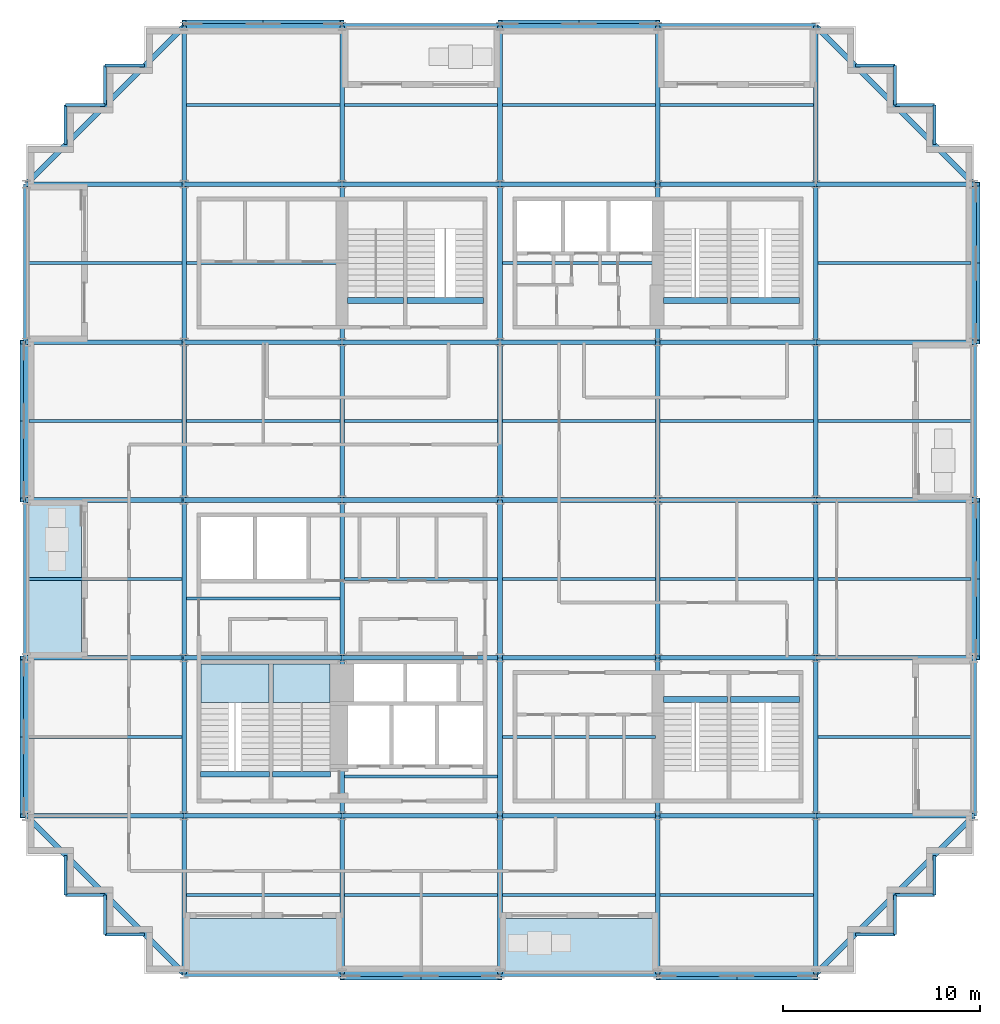
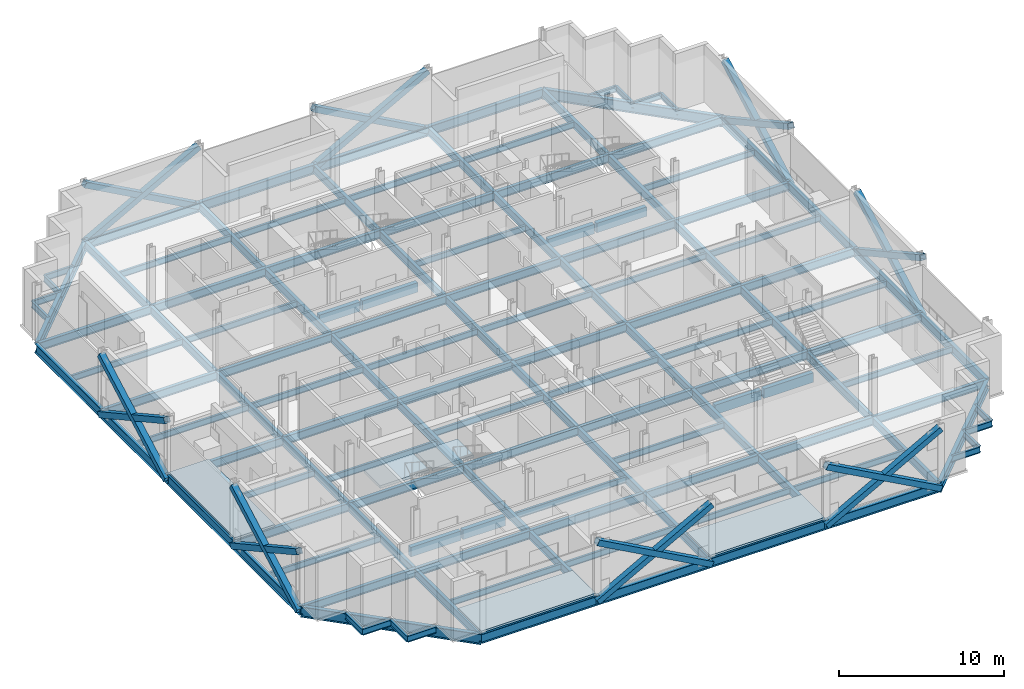
# One storey, part 4 of 15: 132 beams, 16 members, 5 slabs, 2 elements without a shape of their own.
"""IFC4 building model written with IfcOpenShell, lengths in metres."""

import ifcopenshell
import ifcopenshell.guid

model = None  # the IFC model being written
_history = None  # IfcOwnerHistory: only IFC2X3 demands one
_inside = {}  # id of a spatial element -> (the spatial element, [elements in it])
_under = {}  # id of a project, library or spatial element -> (it, [spatial elements below it])
_declared = {}  # id of a project -> (the project, [libraries it declares])
_typed = {}  # id of a type object -> (the type object, [elements of that type])
_made_of = {}  # id of a material, layer set ... -> (it, [elements and type objects made of it])


def new_model(schema):
    """Start an empty IFC model of exactly this schema.

    Asked for "IFC4X3", IfcOpenShell would pick the latest addendum, in which some entities
    have other attributes; the version numbers below select the first issue.
    IFC2X3 requires an IfcOwnerHistory on every rooted entity: one is made here for all.
    """
    global model, _history
    if schema == "IFC4X3":
        model = ifcopenshell.file(schema_version=(4, 3, 0, 0))
    else:
        model = ifcopenshell.file(schema=schema)
    _inside.clear()
    _under.clear()
    _declared.clear()
    _typed.clear()
    _made_of.clear()
    _history = None
    if model.schema == "IFC2X3":
        org = make("IfcOrganization", Name="unknown")
        user = make(
            "IfcPersonAndOrganization",
            ThePerson=make("IfcPerson", FamilyName="unknown"),
            TheOrganization=org,
        )
        app = make(
            "IfcApplication",
            ApplicationDeveloper=org,
            Version="unknown",
            ApplicationFullName="unknown",
            ApplicationIdentifier="unknown",
        )
        _history = make(
            "IfcOwnerHistory",
            OwningUser=user,
            OwningApplication=app,
            ChangeAction="ADDED",
            CreationDate=0,
        )
    return model


def make(cls, **values):
    """One entity of the class cls with the attributes given. An attribute that is None is left unset."""
    return model.create_entity(
        cls, **{name: value for name, value in values.items() if value is not None}
    )


def rooted(cls, **values):
    """An entity with a GlobalId (a new one), such as an element, a storey or a relation."""
    return make(cls, GlobalId=ifcopenshell.guid.new(), OwnerHistory=_history, **values)


def si_unit(unit_type, name, prefix=None):
    """IfcSIUnit, for example si_unit("LENGTHUNIT", "METRE", prefix="MILLI")."""
    return make("IfcSIUnit", UnitType=unit_type, Prefix=prefix, Name=name)


def assignment(units):
    """IfcUnitAssignment: the units of a project."""
    return None if units is None else make("IfcUnitAssignment", Units=units)


def point(xyz):
    """IfcCartesianPoint."""
    return None if xyz is None else make("IfcCartesianPoint", Coordinates=xyz)


def direction(xyz):
    """IfcDirection."""
    return None if xyz is None else make("IfcDirection", DirectionRatios=xyz)


def frame(location, z_axis=None, x_axis=None):
    """IfcAxis2Placement3D, a coordinate frame: its origin and axes. An axis left out is left unset."""
    return make(
        "IfcAxis2Placement3D",
        Location=point(location),
        Axis=direction(z_axis),
        RefDirection=direction(x_axis),
    )


def frame_2d(location, x_axis=None):
    """IfcAxis2Placement2D, a coordinate frame in the plane: its origin and x axis."""
    return make(
        "IfcAxis2Placement2D", Location=point(location), RefDirection=direction(x_axis)
    )


def origin():
    """The frame at (0, 0, 0) with its axes left unset."""
    return frame((0.0, 0.0, 0.0))


def origin_2d():
    """The frame at (0, 0) in the plane with its x axis left unset."""
    return frame_2d((0.0, 0.0))


def place(relative_to, where):
    """IfcLocalPlacement: puts the frame where relative to a parent placement (None: the world)."""
    return make(
        "IfcLocalPlacement", PlacementRelTo=relative_to, RelativePlacement=where
    )


def context(
    kind, dimensions, precision=None, world=None, true_north=None, identifier=None
):
    """IfcGeometricRepresentationContext, for example the 3D "Model" context."""
    return make(
        "IfcGeometricRepresentationContext",
        ContextIdentifier=identifier,
        ContextType=kind,
        CoordinateSpaceDimension=dimensions,
        Precision=precision,
        WorldCoordinateSystem=world,
        TrueNorth=true_north,
    )


def subcontext(parent, identifier, kind, view, scale=None):
    """IfcGeometricRepresentationSubContext, for example "Body" below "Model"."""
    return make(
        "IfcGeometricRepresentationSubContext",
        ContextIdentifier=identifier,
        ContextType=kind,
        ParentContext=parent,
        TargetScale=scale,
        TargetView=view,
    )


def project(units=None, contexts=None):
    """IfcProject with its units and contexts."""
    return rooted(
        "IfcProject",
        Name="project",
        RepresentationContexts=contexts,
        UnitsInContext=assignment(units),
    )


def spatial(cls, under=None, at=None, **own):
    """A site, building, storey or space (cls), placed at a placement, below another one or the project."""
    s = rooted(cls, ObjectPlacement=at, **own)
    if under is not None:
        _under.setdefault(under.id(), (under, []))[1].append(s)
    return s


def polyline(points):
    """IfcPolyline through the points."""
    return make("IfcPolyline", Points=[point(p) for p in points])


def profile(cls, at=None, kind="AREA", **sizes):
    """A parametric profile (cls). Its sizes go by their IFC names, for example OverallWidth=200.0."""
    return make(cls, ProfileType=kind, Position=at, **sizes)


def rectangle(**sizes):
    """IfcRectangleProfileDef."""
    return profile("IfcRectangleProfileDef", **sizes)


def hollow_rectangle(**sizes):
    """IfcRectangleHollowProfileDef."""
    return profile("IfcRectangleHollowProfileDef", **sizes)


def i_section(**sizes):
    """IfcIShapeProfileDef."""
    return profile("IfcIShapeProfileDef", **sizes)


def outline(outer, holes=None, kind="AREA"):
    """IfcArbitraryClosedProfileDef: a profile drawn as a closed curve; with holes, ...WithVoids."""
    if holes is None:
        return make("IfcArbitraryClosedProfileDef", ProfileType=kind, OuterCurve=outer)
    return make(
        "IfcArbitraryProfileDefWithVoids",
        ProfileType=kind,
        OuterCurve=outer,
        InnerCurves=holes,
    )


def extrude(swept, where, along, depth):
    """IfcExtrudedAreaSolid: the profile swept, set in the frame where, extruded along a direction by depth."""
    return make(
        "IfcExtrudedAreaSolid",
        SweptArea=swept,
        Position=where,
        ExtrudedDirection=direction(along),
        Depth=depth,
    )


def shape(context_of_items, identifier, shape_type, items):
    """IfcShapeRepresentation: the items that make up one representation, for example the "Body"."""
    return make(
        "IfcShapeRepresentation",
        ContextOfItems=context_of_items,
        RepresentationIdentifier=identifier,
        RepresentationType=shape_type,
        Items=items,
    )


def material(Name=None, Category=None):
    """IfcMaterial."""
    return make("IfcMaterial", Name=Name, Category=Category)


def layer(
    of_material, thickness, ventilated=None, Name=None, Category=None, Priority=None
):
    """IfcMaterialLayer: one layer of a wall or slab, of a material (None: an air gap)."""
    return make(
        "IfcMaterialLayer",
        Material=of_material,
        LayerThickness=thickness,
        IsVentilated=ventilated,
        Name=Name,
        Category=Category,
        Priority=Priority,
    )


def layer_set(layers, Name=None):
    """IfcMaterialLayerSet."""
    return make("IfcMaterialLayerSet", MaterialLayers=layers, LayerSetName=Name)


def material_profile(
    of_material, cross_section, Name=None, Category=None, Priority=None
):
    """IfcMaterialProfile: a cross section and its material."""
    return make(
        "IfcMaterialProfile",
        Name=Name,
        Material=of_material,
        Profile=cross_section,
        Priority=Priority,
        Category=Category,
    )


def profile_set(profiles, Name=None, composite=None):
    """IfcMaterialProfileSet."""
    return make(
        "IfcMaterialProfileSet",
        Name=Name,
        MaterialProfiles=profiles,
        CompositeProfile=composite,
    )


def made_of(thing, what):
    """Note that an element or type object is made of a material, layer set ...; save() writes the relation."""
    if what is not None:
        _made_of.setdefault(what.id(), (what, []))[1].append(thing)
    return thing


def type_object(cls, material=None, **own):
    """A type object (cls), such as IfcWallType, which elements share."""
    return made_of(rooted(cls, **own), material)


def element(
    cls,
    number,
    at=None,
    inside=None,
    cuts=None,
    type_object=None,
    material=None,
    context=None,
    identifier="Body",
    shape_type=None,
    held_by="IfcProductDefinitionShape",
    body=None,
    shapes=None,
    **own,
):
    """One element of the class cls, such as IfcWall. Its Tag is "e" and its number.

    at: its placement. inside: the storey or other place that contains it. cuts: it is an
    opening in that element (IfcRelVoidsElement). A single representation is given by context,
    identifier, shape_type and body (its items); several are given by shapes. held_by: the class
    of the entity that holds the representations. save() writes the other relations.
    """
    e = rooted(cls, Tag="e%d" % number, ObjectPlacement=at, **own)
    if body is not None:
        shapes = [shape(context, identifier, shape_type, body)]
    if shapes is not None:
        e.Representation = make(held_by, Representations=shapes)
    if inside is not None:
        _inside.setdefault(inside.id(), (inside, []))[1].append(e)
    if cuts is not None:
        rooted(
            "IfcRelVoidsElement", RelatingBuildingElement=cuts, RelatedOpeningElement=e
        )
    if type_object is not None:
        _typed.setdefault(type_object.id(), (type_object, []))[1].append(e)
    return made_of(e, material)


def aggregate(whole, parts):
    """IfcRelAggregates: a whole, such as a stair, and the parts it consists of."""
    return rooted("IfcRelAggregates", RelatingObject=whole, RelatedObjects=parts)


def save(model, path):
    """Write the relations noted so far, then the file.

    IfcRelAggregates (storeys below a building ...), IfcRelContainedInSpatialStructure (elements
    in a storey), IfcRelDefinesByType, IfcRelAssociatesMaterial and IfcRelDeclares: one each for
    every whole, place, type object, material and project.
    """
    for whole, parts in _under.values():
        aggregate(whole, parts)
    for where, things in _inside.values():
        rooted(
            "IfcRelContainedInSpatialStructure",
            RelatedElements=things,
            RelatingStructure=where,
        )
    for kind, things in _typed.values():
        rooted("IfcRelDefinesByType", RelatedObjects=things, RelatingType=kind)
    for what, things in _made_of.values():
        rooted("IfcRelAssociatesMaterial", RelatedObjects=things, RelatingMaterial=what)
    for by, libraries in _declared.values():
        rooted("IfcRelDeclares", RelatingContext=by, RelatedDefinitions=libraries)
    model.write(path)


model = new_model("IFC4")

# Units and contexts
model_context = context("Model", 3, precision=1e-05, world=origin(), true_north=direction((0.0, 1.0)))
body_context = subcontext(model_context, "Body", "Model", "MODEL_VIEW")
ifc_project = project(units=[si_unit("LENGTHUNIT", "METRE"), si_unit("AREAUNIT", "SQUARE_METRE"), si_unit("VOLUMEUNIT", "CUBIC_METRE"), si_unit("PLANEANGLEUNIT", "RADIAN"), si_unit("MASSUNIT", "GRAM", prefix="KILO")], contexts=[model_context])

# Site, building, storey
site_placement = place(None, origin())
site = spatial("IfcSite", under=ifc_project, at=site_placement, CompositionType="ELEMENT")
building_placement = place(site_placement, origin())
building = spatial("IfcBuilding", under=site, at=building_placement, Name="Immortelle Media Tower", CompositionType="ELEMENT")
storey_placement = place(building_placement, frame((0.0, 0.0, 83.199951171875)))
storey = spatial("IfcBuildingStorey", under=building, at=storey_placement, Name="L15", CompositionType="ELEMENT", Elevation=83.199951171875)

# Members
ifc_material_1 = material(Name="Steel ASTM A500 Gr C", Category="steel")
ifc_material_profile_1 = material_profile(ifc_material_1, hollow_rectangle(XDim=0.406005859375, YDim=0.406005859375, WallThickness=0.014892578125, at=origin_2d()), Name="HSS16x16x5/8 brace")
ifc_profile_set_1 = profile_set([ifc_material_profile_1], Name="Steel ASTM A500 Gr C")
member_type = type_object("IfcMemberType", Name="HSS16x16x5/8 brace", PredefinedType="BRACE", material=ifc_profile_set_1)
for number, where, z_axis, x_axis, name in (
    (1, (-0.113037109375, 32.0, -0.496337890625), (0.0, -0.876220425204, 0.481910537812), (1.0, 0.0, 0.0), "Brace 1/D-E A"),
    (2, (-0.113037109375, 32.0, 3.903564453125), (0.0, -0.876220425204, -0.481910537812), (1.0, 0.0, 0.0), "Brace 1/D-E B"),
    (3, (-0.113037109375, 16.0, -0.496337890625), (0.0, -0.876220425204, 0.481910537812), (1.0, 0.0, 0.0), "Brace 1/B-C A"),
    (4, (-0.113037109375, 16.0, 3.903564453125), (0.0, -0.876220425204, -0.481910537812), (1.0, 0.0, 0.0), "Brace 1/B-C B"),
    (5, (16.0, -0.113037109375, -0.496337890625), (0.876220425204, 0.0, 0.481910537812), (0.0, 1.0, 0.0), "Brace A/3-4 A"),
    (6, (16.0, -0.113037109375, 3.903564453125), (0.876220425204, 0.0, -0.481910537812), (0.0, 1.0, 0.0), "Brace A/3-4 B"),
    (7, (32.0, -0.113037109375, -0.496337890625), (0.876220425204, 0.0, 0.481910537812), (0.0, 1.0, 0.0), "Brace A/5-6 A"),
    (8, (32.0, -0.113037109375, 3.903564453125), (0.876220425204, 0.0, -0.481910537812), (0.0, 1.0, 0.0), "Brace A/5-6 B"),
    (9, (48.113037109375, 16.0, -0.496337890625), (0.0, 0.876220425204, 0.481910537812), (-1.0, 0.0, 0.0), "Brace 7/C-D A"),
    (10, (48.113037109375, 16.0, 3.903564453125), (0.0, 0.876220425204, -0.481910537812), (-1.0, 0.0, 0.0), "Brace 7/C-D B"),
    (11, (48.113037109375, 32.0, -0.496337890625), (0.0, 0.876220425204, 0.481910537812), (-1.0, 0.0, 0.0), "Brace 7/E-F A"),
    (12, (48.113037109375, 32.0, 3.903564453125), (0.0, 0.876220425204, -0.481910537812), (-1.0, 0.0, 0.0), "Brace 7/E-F B"),
    (13, (32.0, 48.113037109375, -0.496337890625), (-0.876220425204, 0.0, 0.481910537812), (0.0, -1.0, 0.0), "Brace G/4-5 A"),
    (14, (32.0, 48.113037109375, 3.903564453125), (-0.876220425204, 0.0, -0.481910537812), (0.0, -1.0, 0.0), "Brace G/4-5 B"),
    (15, (16.0, 48.113037109375, -0.496337890625), (-0.876220425204, 0.0, 0.481910537812), (0.0, -1.0, 0.0), "Brace G/2-3 A"),
    (16, (16.0, 48.113037109375, 3.903564453125), (-0.876220425204, 0.0, -0.481910537812), (0.0, -1.0, 0.0), "Brace G/2-3 B"),
):
    element("IfcMember", number, at=place(storey_placement, frame(where, z_axis=z_axis, x_axis=x_axis)), inside=storey, type_object=member_type, Name=name, PredefinedType="BRACE", context=body_context, shape_type="SweptSolid", body=[
        extrude(hollow_rectangle(XDim=0.406005859375, YDim=0.406005859375, WallThickness=0.014892578125, at=origin_2d()), origin(), (0.0, 0.0, 1.0), 9.130126953125),
    ])

# Beams
ifc_material_2 = material(Name="Concrete C50/60", Category="concrete")
ifc_material_profile_2 = material_profile(ifc_material_2, rectangle(XDim=0.300048828125, YDim=0.699951171875, at=origin_2d()), Name="RC 300x700")
ifc_profile_set_2 = profile_set([ifc_material_profile_2], Name="Concrete C50/60")
beam_type_1 = type_object("IfcBeamType", Name="Stair trimmer beam 300 x 700", PredefinedType="BEAM", material=ifc_profile_set_2)
beam_1_placement = place(storey_placement, frame((8.830078125, 10.10498046875, -0.5), z_axis=(1.0, 0.0, 0.0), x_axis=(0.0, 1.0, 0.0)))
element("IfcBeam", 17, at=beam_1_placement, inside=storey, type_object=beam_type_1, Name="Stair trimmer beam SW1", PredefinedType="BEAM", context=body_context, shape_type="SweptSolid", body=[
    extrude(rectangle(XDim=0.300048828125, YDim=0.699951171875, at=origin_2d()), origin(), (0.0, 0.0, 1.0), 3.489990234375),
])
beam_2_placement = place(storey_placement, frame((12.47998046875, 10.10498046875, -0.5), z_axis=(1.0, 0.0, 0.0), x_axis=(0.0, 1.0, 0.0)))
element("IfcBeam", 18, at=beam_2_placement, inside=storey, type_object=beam_type_1, Name="Stair trimmer beam SW2", PredefinedType="BEAM", context=body_context, shape_type="SweptSolid", body=[
    extrude(rectangle(XDim=0.300048828125, YDim=0.699951171875, at=origin_2d()), origin(), (0.0, 0.0, 1.0), 2.93994140625),
])
beam_3_placement = place(storey_placement, frame((32.280029296875, 13.89501953125, -0.5), z_axis=(1.0, 0.0, 0.0), x_axis=(0.0, 1.0, 0.0)))
element("IfcBeam", 19, at=beam_3_placement, inside=storey, type_object=beam_type_1, Name="Stair trimmer beam SE1", PredefinedType="BEAM", context=body_context, shape_type="SweptSolid", body=[
    extrude(rectangle(XDim=0.300048828125, YDim=0.699951171875, at=origin_2d()), origin(), (0.0, 0.0, 1.0), 3.239990234375),
])
beam_4_placement = place(storey_placement, frame((35.679931640625, 13.89501953125, -0.5), z_axis=(1.0, 0.0, 0.0), x_axis=(0.0, 1.0, 0.0)))
element("IfcBeam", 20, at=beam_4_placement, inside=storey, type_object=beam_type_1, Name="Stair trimmer beam SE2", PredefinedType="BEAM", context=body_context, shape_type="SweptSolid", body=[
    extrude(rectangle(XDim=0.300048828125, YDim=0.699951171875, at=origin_2d()), origin(), (0.0, 0.0, 1.0), 3.489990234375),
])
beam_5_placement = place(storey_placement, frame((16.280029296875, 34.10498046875, -0.5), z_axis=(1.0, 0.0, 0.0), x_axis=(0.0, 1.0, 0.0)))
element("IfcBeam", 21, at=beam_5_placement, inside=storey, type_object=beam_type_1, Name="Stair trimmer beam NW1", PredefinedType="BEAM", context=body_context, shape_type="SweptSolid", body=[
    extrude(rectangle(XDim=0.300048828125, YDim=0.699951171875, at=origin_2d()), origin(), (0.0, 0.0, 1.0), 2.840087890625),
])
beam_6_placement = place(storey_placement, frame((19.280029296875, 34.10498046875, -0.5), z_axis=(1.0, 0.0, 0.0), x_axis=(0.0, 1.0, 0.0)))
element("IfcBeam", 22, at=beam_6_placement, inside=storey, type_object=beam_type_1, Name="Stair trimmer beam NW2", PredefinedType="BEAM", context=body_context, shape_type="SweptSolid", body=[
    extrude(rectangle(XDim=0.300048828125, YDim=0.699951171875, at=origin_2d()), origin(), (0.0, 0.0, 1.0), 3.889892578125),
])
beam_7_placement = place(storey_placement, frame((32.280029296875, 34.10498046875, -0.5), z_axis=(1.0, 0.0, 0.0), x_axis=(0.0, 1.0, 0.0)))
element("IfcBeam", 23, at=beam_7_placement, inside=storey, type_object=beam_type_1, Name="Stair trimmer beam NE1", PredefinedType="BEAM", context=body_context, shape_type="SweptSolid", body=[
    extrude(rectangle(XDim=0.300048828125, YDim=0.699951171875, at=origin_2d()), origin(), (0.0, 0.0, 1.0), 3.239990234375),
])
beam_8_placement = place(storey_placement, frame((35.679931640625, 34.10498046875, -0.5), z_axis=(1.0, 0.0, 0.0), x_axis=(0.0, 1.0, 0.0)))
element("IfcBeam", 24, at=beam_8_placement, inside=storey, type_object=beam_type_1, Name="Stair trimmer beam NE2", PredefinedType="BEAM", context=body_context, shape_type="SweptSolid", body=[
    extrude(rectangle(XDim=0.300048828125, YDim=0.699951171875, at=origin_2d()), origin(), (0.0, 0.0, 1.0), 3.489990234375),
])
ifc_material_3 = material(Name="Steel ASTM A992 Gr 50", Category="steel")
ifc_material_profile_3 = material_profile(ifc_material_3, i_section(OverallWidth=0.153076171875, OverallDepth=0.455078125, WebThickness=0.008056640625, FlangeThickness=0.012939453125, at=origin_2d()), Name="W18x40")
ifc_profile_set_3 = profile_set([ifc_material_profile_3], Name="Steel ASTM A992 Gr 50")
beam_type_2 = type_object("IfcBeamType", Name="W18x40 secondary beam", PredefinedType="JOIST", material=ifc_profile_set_3)
for number, where, z_axis, x_axis, name in (
    (25, (8.114501953125, 4.0, -0.37744140625), (1.0, 0.0, 0.0), (0.0, 1.0, 0.0), "Beam A-B/2-3"),
    (26, (16.114501953125, 4.0, -0.37744140625), (1.0, 0.0, 0.0), (0.0, 1.0, 0.0), "Beam A-B/3-4"),
    (27, (24.114501953125, 4.0, -0.37744140625), (1.0, 0.0, 0.0), (0.0, 1.0, 0.0), "Beam A-B/4-5"),
    (28, (32.114501953125, 4.0, -0.37744140625), (1.0, 0.0, 0.0), (0.0, 1.0, 0.0), "Beam A-B/5-6"),
):
    element("IfcBeam", number, at=place(storey_placement, frame(where, z_axis=z_axis, x_axis=x_axis)), inside=storey, type_object=beam_type_2, Name=name, PredefinedType="JOIST", context=body_context, shape_type="SweptSolid", body=[
        extrude(i_section(OverallWidth=0.153076171875, OverallDepth=0.455078125, WebThickness=0.008056640625, FlangeThickness=0.012939453125, at=origin_2d()), origin(), (0.0, 0.0, 1.0), 7.77099609375),
    ])
beam_9_placement = place(storey_placement, frame((0.12841796875, 12.0, -0.37744140625), z_axis=(1.0, 0.0, 0.0), x_axis=(0.0, 1.0, 0.0)))
element("IfcBeam", 29, at=beam_9_placement, inside=storey, type_object=beam_type_2, Name="Beam B-C/1-2", PredefinedType="JOIST", context=body_context, shape_type="SweptSolid", body=[
    extrude(i_section(OverallWidth=0.153076171875, OverallDepth=0.455078125, WebThickness=0.008056640625, FlangeThickness=0.012939453125, at=origin_2d()), origin(), (0.0, 0.0, 1.0), 7.757080078125),
])
for number, where, z_axis, x_axis, name in (
    (30, (16.114501953125, 10.0, -0.37744140625), (1.0, 0.0, 0.0), (0.0, 1.0, 0.0), "Beam B-C/3-4"),
    (31, (24.114501953125, 12.0, -0.37744140625), (1.0, 0.0, 0.0), (0.0, 1.0, 0.0), "Beam B-C/4-5"),
):
    element("IfcBeam", number, at=place(storey_placement, frame(where, z_axis=z_axis, x_axis=x_axis)), inside=storey, type_object=beam_type_2, Name=name, PredefinedType="JOIST", context=body_context, shape_type="SweptSolid", body=[
        extrude(i_section(OverallWidth=0.153076171875, OverallDepth=0.455078125, WebThickness=0.008056640625, FlangeThickness=0.012939453125, at=origin_2d()), origin(), (0.0, 0.0, 1.0), 7.77099609375),
    ])
for number, where, z_axis, x_axis, name in (
    (32, (40.114501953125, 12.0, -0.37744140625), (1.0, 0.0, 0.0), (0.0, 1.0, 0.0), "Beam B-C/6-7"),
    (33, (0.12841796875, 20.0, -0.37744140625), (1.0, 0.0, 0.0), (0.0, 1.0, 0.0), "Beam C-D/1-2"),
):
    element("IfcBeam", number, at=place(storey_placement, frame(where, z_axis=z_axis, x_axis=x_axis)), inside=storey, type_object=beam_type_2, Name=name, PredefinedType="JOIST", context=body_context, shape_type="SweptSolid", body=[
        extrude(i_section(OverallWidth=0.153076171875, OverallDepth=0.455078125, WebThickness=0.008056640625, FlangeThickness=0.012939453125, at=origin_2d()), origin(), (0.0, 0.0, 1.0), 7.757080078125),
    ])
for number, where, z_axis, x_axis, name in (
    (34, (8.114501953125, 19.0, -0.37744140625), (1.0, 0.0, 0.0), (0.0, 1.0, 0.0), "Beam C-D/2-3"),
    (35, (16.114501953125, 20.0, -0.37744140625), (1.0, 0.0, 0.0), (0.0, 1.0, 0.0), "Beam C-D/3-4"),
    (36, (24.114501953125, 20.0, -0.37744140625), (1.0, 0.0, 0.0), (0.0, 1.0, 0.0), "Beam C-D/4-5"),
    (37, (32.114501953125, 20.0, -0.37744140625), (1.0, 0.0, 0.0), (0.0, 1.0, 0.0), "Beam C-D/5-6"),
):
    element("IfcBeam", number, at=place(storey_placement, frame(where, z_axis=z_axis, x_axis=x_axis)), inside=storey, type_object=beam_type_2, Name=name, PredefinedType="JOIST", context=body_context, shape_type="SweptSolid", body=[
        extrude(i_section(OverallWidth=0.153076171875, OverallDepth=0.455078125, WebThickness=0.008056640625, FlangeThickness=0.012939453125, at=origin_2d()), origin(), (0.0, 0.0, 1.0), 7.77099609375),
    ])
for number, where, z_axis, x_axis, name in (
    (38, (40.114501953125, 20.0, -0.37744140625), (1.0, 0.0, 0.0), (0.0, 1.0, 0.0), "Beam C-D/6-7"),
    (39, (0.12841796875, 28.0, -0.37744140625), (1.0, 0.0, 0.0), (0.0, 1.0, 0.0), "Beam D-E/1-2"),
):
    element("IfcBeam", number, at=place(storey_placement, frame(where, z_axis=z_axis, x_axis=x_axis)), inside=storey, type_object=beam_type_2, Name=name, PredefinedType="JOIST", context=body_context, shape_type="SweptSolid", body=[
        extrude(i_section(OverallWidth=0.153076171875, OverallDepth=0.455078125, WebThickness=0.008056640625, FlangeThickness=0.012939453125, at=origin_2d()), origin(), (0.0, 0.0, 1.0), 7.757080078125),
    ])
for number, where, z_axis, x_axis, name in (
    (40, (8.114501953125, 28.0, -0.37744140625), (1.0, 0.0, 0.0), (0.0, 1.0, 0.0), "Beam D-E/2-3"),
    (41, (16.114501953125, 28.0, -0.37744140625), (1.0, 0.0, 0.0), (0.0, 1.0, 0.0), "Beam D-E/3-4"),
    (42, (24.114501953125, 28.0, -0.37744140625), (1.0, 0.0, 0.0), (0.0, 1.0, 0.0), "Beam D-E/4-5"),
    (43, (32.114501953125, 28.0, -0.37744140625), (1.0, 0.0, 0.0), (0.0, 1.0, 0.0), "Beam D-E/5-6"),
):
    element("IfcBeam", number, at=place(storey_placement, frame(where, z_axis=z_axis, x_axis=x_axis)), inside=storey, type_object=beam_type_2, Name=name, PredefinedType="JOIST", context=body_context, shape_type="SweptSolid", body=[
        extrude(i_section(OverallWidth=0.153076171875, OverallDepth=0.455078125, WebThickness=0.008056640625, FlangeThickness=0.012939453125, at=origin_2d()), origin(), (0.0, 0.0, 1.0), 7.77099609375),
    ])
for number, where, z_axis, x_axis, name in (
    (44, (40.114501953125, 28.0, -0.37744140625), (1.0, 0.0, 0.0), (0.0, 1.0, 0.0), "Beam D-E/6-7"),
    (45, (0.12841796875, 36.0, -0.37744140625), (1.0, 0.0, 0.0), (0.0, 1.0, 0.0), "Beam E-F/1-2"),
):
    element("IfcBeam", number, at=place(storey_placement, frame(where, z_axis=z_axis, x_axis=x_axis)), inside=storey, type_object=beam_type_2, Name=name, PredefinedType="JOIST", context=body_context, shape_type="SweptSolid", body=[
        extrude(i_section(OverallWidth=0.153076171875, OverallDepth=0.455078125, WebThickness=0.008056640625, FlangeThickness=0.012939453125, at=origin_2d()), origin(), (0.0, 0.0, 1.0), 7.757080078125),
    ])
for number, where, z_axis, x_axis, name in (
    (46, (8.114501953125, 36.0, -0.37744140625), (1.0, 0.0, 0.0), (0.0, 1.0, 0.0), "Beam E-F/2-3"),
    (47, (24.114501953125, 36.0, -0.37744140625), (1.0, 0.0, 0.0), (0.0, 1.0, 0.0), "Beam E-F/4-5"),
):
    element("IfcBeam", number, at=place(storey_placement, frame(where, z_axis=z_axis, x_axis=x_axis)), inside=storey, type_object=beam_type_2, Name=name, PredefinedType="JOIST", context=body_context, shape_type="SweptSolid", body=[
        extrude(i_section(OverallWidth=0.153076171875, OverallDepth=0.455078125, WebThickness=0.008056640625, FlangeThickness=0.012939453125, at=origin_2d()), origin(), (0.0, 0.0, 1.0), 7.77099609375),
    ])
beam_10_placement = place(storey_placement, frame((40.114501953125, 36.0, -0.37744140625), z_axis=(1.0, 0.0, 0.0), x_axis=(0.0, 1.0, 0.0)))
element("IfcBeam", 48, at=beam_10_placement, inside=storey, type_object=beam_type_2, Name="Beam E-F/6-7", PredefinedType="JOIST", context=body_context, shape_type="SweptSolid", body=[
    extrude(i_section(OverallWidth=0.153076171875, OverallDepth=0.455078125, WebThickness=0.008056640625, FlangeThickness=0.012939453125, at=origin_2d()), origin(), (0.0, 0.0, 1.0), 7.757080078125),
])
for number, where, z_axis, x_axis, name in (
    (49, (8.114501953125, 44.0, -0.37744140625), (1.0, 0.0, 0.0), (0.0, 1.0, 0.0), "Beam F-G/2-3"),
    (50, (16.114501953125, 44.0, -0.37744140625), (1.0, 0.0, 0.0), (0.0, 1.0, 0.0), "Beam F-G/3-4"),
    (51, (24.114501953125, 44.0, -0.37744140625), (1.0, 0.0, 0.0), (0.0, 1.0, 0.0), "Beam F-G/4-5"),
    (52, (32.114501953125, 44.0, -0.37744140625), (1.0, 0.0, 0.0), (0.0, 1.0, 0.0), "Beam F-G/5-6"),
):
    element("IfcBeam", number, at=place(storey_placement, frame(where, z_axis=z_axis, x_axis=x_axis)), inside=storey, type_object=beam_type_2, Name=name, PredefinedType="JOIST", context=body_context, shape_type="SweptSolid", body=[
        extrude(i_section(OverallWidth=0.153076171875, OverallDepth=0.455078125, WebThickness=0.008056640625, FlangeThickness=0.012939453125, at=origin_2d()), origin(), (0.0, 0.0, 1.0), 7.77099609375),
    ])
ifc_material_profile_4 = material_profile(ifc_material_3, i_section(OverallWidth=0.153076171875, OverallDepth=0.455078125, WebThickness=0.008056640625, FlangeThickness=0.012939453125, at=origin_2d()), Name="W18x40")
ifc_profile_set_4 = profile_set([ifc_material_profile_4], Name="Steel ASTM A992 Gr 50")
beam_type_3 = type_object("IfcBeamType", Name="W18x40 serration edge beam", PredefinedType="SPANDREL", material=ifc_profile_set_4)
for number, where, z_axis, x_axis, name in (
    (53, (6.0, 2.0, -0.37744140625), (-1.0, 0.0, 0.0), (0.0, -1.0, 0.0), "Corner edge beam 1 at 1/A"),
    (54, (4.0, 2.0, -0.37744140625), (0.0, 1.0, 0.0), (-1.0, 0.0, 0.0), "Corner edge beam 2 at 1/A"),
    (55, (4.0, 4.0, -0.37744140625), (-1.0, 0.0, 0.0), (0.0, -1.0, 0.0), "Corner edge beam 3 at 1/A"),
    (56, (2.0, 4.0, -0.37744140625), (0.0, 1.0, 0.0), (-1.0, 0.0, 0.0), "Corner edge beam 4 at 1/A"),
    (57, (2.0, 42.0, -0.37744140625), (0.0, 1.0, 0.0), (-1.0, 0.0, 0.0), "Corner edge beam 1 at 1/G"),
    (58, (2.0, 44.0, -0.37744140625), (1.0, 0.0, 0.0), (0.0, 1.0, 0.0), "Corner edge beam 2 at 1/G"),
    (59, (4.0, 44.0, -0.37744140625), (0.0, 1.0, 0.0), (-1.0, 0.0, 0.0), "Corner edge beam 3 at 1/G"),
    (60, (4.0, 46.0, -0.37744140625), (1.0, 0.0, 0.0), (0.0, 1.0, 0.0), "Corner edge beam 4 at 1/G"),
    (61, (46.0, 6.0, -0.37744140625), (0.0, -1.0, 0.0), (1.0, 0.0, 0.0), "Corner edge beam 1 at 7/A"),
    (62, (46.0, 4.0, -0.37744140625), (-1.0, 0.0, 0.0), (0.0, -1.0, 0.0), "Corner edge beam 2 at 7/A"),
    (63, (44.0, 4.0, -0.37744140625), (0.0, -1.0, 0.0), (1.0, 0.0, 0.0), "Corner edge beam 3 at 7/A"),
    (64, (44.0, 2.0, -0.37744140625), (-1.0, 0.0, 0.0), (0.0, -1.0, 0.0), "Corner edge beam 4 at 7/A"),
    (65, (42.0, 46.0, -0.37744140625), (1.0, 0.0, 0.0), (0.0, 1.0, 0.0), "Corner edge beam 1 at 7/G"),
    (66, (44.0, 46.0, -0.37744140625), (0.0, -1.0, 0.0), (1.0, 0.0, 0.0), "Corner edge beam 2 at 7/G"),
    (67, (44.0, 44.0, -0.37744140625), (1.0, 0.0, 0.0), (0.0, 1.0, 0.0), "Corner edge beam 3 at 7/G"),
    (68, (46.0, 44.0, -0.37744140625), (0.0, -1.0, 0.0), (1.0, 0.0, 0.0), "Corner edge beam 4 at 7/G"),
):
    element("IfcBeam", number, at=place(storey_placement, frame(where, z_axis=z_axis, x_axis=x_axis)), inside=storey, type_object=beam_type_3, Name=name, PredefinedType="SPANDREL", context=body_context, shape_type="SweptSolid", body=[
        extrude(i_section(OverallWidth=0.153076171875, OverallDepth=0.455078125, WebThickness=0.008056640625, FlangeThickness=0.012939453125, at=origin_2d()), origin(), (0.0, 0.0, 1.0), 2.0),
    ])
ifc_material_profile_5 = material_profile(ifc_material_3, i_section(OverallWidth=0.22900390625, OverallDepth=0.612060546875, WebThickness=0.011962890625, FlangeThickness=0.02001953125, at=origin_2d()), Name="W24x84")
ifc_profile_set_5 = profile_set([ifc_material_profile_5], Name="Steel ASTM A992 Gr 50")
beam_type_4 = type_object("IfcBeamType", Name="W24x84 girder", PredefinedType="BEAM", material=ifc_profile_set_5)
for number, where, z_axis, x_axis, name in (
    (69, (0.0, 8.0, -0.4560546875), (1.0, 0.0, 0.0), (0.0, 1.0, 0.0), "Girder B/1-2"),
    (70, (0.0, 16.0, -0.4560546875), (1.0, 0.0, 0.0), (0.0, 1.0, 0.0), "Girder C/1-2"),
    (71, (0.0, 24.0, -0.4560546875), (1.0, 0.0, 0.0), (0.0, 1.0, 0.0), "Girder D/1-2"),
    (72, (0.0, 32.0, -0.4560546875), (1.0, 0.0, 0.0), (0.0, 1.0, 0.0), "Girder E/1-2"),
    (73, (0.0, 40.0, -0.4560546875), (1.0, 0.0, 0.0), (0.0, 1.0, 0.0), "Girder F/1-2"),
    (74, (8.0, 0.0, -0.4560546875), (0.0, 1.0, 0.0), (-1.0, 0.0, 0.0), "Girder 2/A-B"),
    (75, (8.0, 8.0, -0.4560546875), (1.0, 0.0, 0.0), (0.0, 1.0, 0.0), "Girder B/2-3"),
    (76, (8.0, 8.0, -0.4560546875), (0.0, 1.0, 0.0), (-1.0, 0.0, 0.0), "Girder 2/B-C"),
    (77, (8.0, 16.0, -0.4560546875), (1.0, 0.0, 0.0), (0.0, 1.0, 0.0), "Girder C/2-3"),
    (78, (8.0, 16.0, -0.4560546875), (0.0, 1.0, 0.0), (-1.0, 0.0, 0.0), "Girder 2/C-D"),
    (79, (8.0, 24.0, -0.4560546875), (1.0, 0.0, 0.0), (0.0, 1.0, 0.0), "Girder D/2-3"),
    (80, (8.0, 24.0, -0.4560546875), (0.0, 1.0, 0.0), (-1.0, 0.0, 0.0), "Girder 2/D-E"),
    (81, (8.0, 32.0, -0.4560546875), (1.0, 0.0, 0.0), (0.0, 1.0, 0.0), "Girder E/2-3"),
    (82, (8.0, 32.0, -0.4560546875), (0.0, 1.0, 0.0), (-1.0, 0.0, 0.0), "Girder 2/E-F"),
    (83, (8.0, 40.0, -0.4560546875), (1.0, 0.0, 0.0), (0.0, 1.0, 0.0), "Girder F/2-3"),
    (84, (8.0, 40.0, -0.4560546875), (0.0, 1.0, 0.0), (-1.0, 0.0, 0.0), "Girder 2/F-G"),
    (85, (16.0, 0.0, -0.4560546875), (0.0, 1.0, 0.0), (-1.0, 0.0, 0.0), "Girder 3/A-B"),
    (86, (16.0, 8.0, -0.4560546875), (1.0, 0.0, 0.0), (0.0, 1.0, 0.0), "Girder B/3-4"),
    (87, (16.0, 8.0, -0.4560546875), (0.0, 1.0, 0.0), (-1.0, 0.0, 0.0), "Girder 3/B-C"),
    (88, (16.0, 16.0, -0.4560546875), (1.0, 0.0, 0.0), (0.0, 1.0, 0.0), "Girder C/3-4"),
    (89, (16.0, 16.0, -0.4560546875), (0.0, 1.0, 0.0), (-1.0, 0.0, 0.0), "Girder 3/C-D"),
    (90, (16.0, 24.0, -0.4560546875), (1.0, 0.0, 0.0), (0.0, 1.0, 0.0), "Girder D/3-4"),
    (91, (16.0, 24.0, -0.4560546875), (0.0, 1.0, 0.0), (-1.0, 0.0, 0.0), "Girder 3/D-E"),
    (92, (16.0, 32.0, -0.4560546875), (1.0, 0.0, 0.0), (0.0, 1.0, 0.0), "Girder E/3-4"),
    (93, (16.0, 32.0, -0.4560546875), (0.0, 1.0, 0.0), (-1.0, 0.0, 0.0), "Girder 3/E-F"),
    (94, (16.0, 40.0, -0.4560546875), (1.0, 0.0, 0.0), (0.0, 1.0, 0.0), "Girder F/3-4"),
    (95, (16.0, 40.0, -0.4560546875), (0.0, 1.0, 0.0), (-1.0, 0.0, 0.0), "Girder 3/F-G"),
    (96, (24.0, 0.0, -0.4560546875), (0.0, 1.0, 0.0), (-1.0, 0.0, 0.0), "Girder 4/A-B"),
    (97, (24.0, 8.0, -0.4560546875), (1.0, 0.0, 0.0), (0.0, 1.0, 0.0), "Girder B/4-5"),
    (98, (24.0, 8.0, -0.4560546875), (0.0, 1.0, 0.0), (-1.0, 0.0, 0.0), "Girder 4/B-C"),
    (99, (24.0, 16.0, -0.4560546875), (1.0, 0.0, 0.0), (0.0, 1.0, 0.0), "Girder C/4-5"),
    (100, (24.0, 16.0, -0.4560546875), (0.0, 1.0, 0.0), (-1.0, 0.0, 0.0), "Girder 4/C-D"),
    (101, (24.0, 24.0, -0.4560546875), (1.0, 0.0, 0.0), (0.0, 1.0, 0.0), "Girder D/4-5"),
    (102, (24.0, 24.0, -0.4560546875), (0.0, 1.0, 0.0), (-1.0, 0.0, 0.0), "Girder 4/D-E"),
    (103, (24.0, 32.0, -0.4560546875), (1.0, 0.0, 0.0), (0.0, 1.0, 0.0), "Girder E/4-5"),
    (104, (24.0, 32.0, -0.4560546875), (0.0, 1.0, 0.0), (-1.0, 0.0, 0.0), "Girder 4/E-F"),
    (105, (24.0, 40.0, -0.4560546875), (1.0, 0.0, 0.0), (0.0, 1.0, 0.0), "Girder F/4-5"),
    (106, (24.0, 40.0, -0.4560546875), (0.0, 1.0, 0.0), (-1.0, 0.0, 0.0), "Girder 4/F-G"),
    (107, (32.0, 0.0, -0.4560546875), (0.0, 1.0, 0.0), (-1.0, 0.0, 0.0), "Girder 5/A-B"),
    (108, (32.0, 8.0, -0.4560546875), (1.0, 0.0, 0.0), (0.0, 1.0, 0.0), "Girder B/5-6"),
    (109, (32.0, 8.0, -0.4560546875), (0.0, 1.0, 0.0), (-1.0, 0.0, 0.0), "Girder 5/B-C"),
    (110, (32.0, 16.0, -0.4560546875), (1.0, 0.0, 0.0), (0.0, 1.0, 0.0), "Girder C/5-6"),
    (111, (32.0, 16.0, -0.4560546875), (0.0, 1.0, 0.0), (-1.0, 0.0, 0.0), "Girder 5/C-D"),
    (112, (32.0, 24.0, -0.4560546875), (1.0, 0.0, 0.0), (0.0, 1.0, 0.0), "Girder D/5-6"),
    (113, (32.0, 24.0, -0.4560546875), (0.0, 1.0, 0.0), (-1.0, 0.0, 0.0), "Girder 5/D-E"),
    (114, (32.0, 32.0, -0.4560546875), (1.0, 0.0, 0.0), (0.0, 1.0, 0.0), "Girder E/5-6"),
    (115, (32.0, 32.0, -0.4560546875), (0.0, 1.0, 0.0), (-1.0, 0.0, 0.0), "Girder 5/E-F"),
    (116, (32.0, 40.0, -0.4560546875), (1.0, 0.0, 0.0), (0.0, 1.0, 0.0), "Girder F/5-6"),
    (117, (32.0, 40.0, -0.4560546875), (0.0, 1.0, 0.0), (-1.0, 0.0, 0.0), "Girder 5/F-G"),
    (118, (40.0, 0.0, -0.4560546875), (0.0, 1.0, 0.0), (-1.0, 0.0, 0.0), "Girder 6/A-B"),
    (119, (40.0, 8.0, -0.4560546875), (1.0, 0.0, 0.0), (0.0, 1.0, 0.0), "Girder B/6-7"),
    (120, (40.0, 8.0, -0.4560546875), (0.0, 1.0, 0.0), (-1.0, 0.0, 0.0), "Girder 6/B-C"),
    (121, (40.0, 16.0, -0.4560546875), (1.0, 0.0, 0.0), (0.0, 1.0, 0.0), "Girder C/6-7"),
    (122, (40.0, 16.0, -0.4560546875), (0.0, 1.0, 0.0), (-1.0, 0.0, 0.0), "Girder 6/C-D"),
    (123, (40.0, 24.0, -0.4560546875), (1.0, 0.0, 0.0), (0.0, 1.0, 0.0), "Girder D/6-7"),
    (124, (40.0, 24.0, -0.4560546875), (0.0, 1.0, 0.0), (-1.0, 0.0, 0.0), "Girder 6/D-E"),
    (125, (40.0, 32.0, -0.4560546875), (1.0, 0.0, 0.0), (0.0, 1.0, 0.0), "Girder E/6-7"),
    (126, (40.0, 32.0, -0.4560546875), (0.0, 1.0, 0.0), (-1.0, 0.0, 0.0), "Girder 6/E-F"),
    (127, (40.0, 40.0, -0.4560546875), (1.0, 0.0, 0.0), (0.0, 1.0, 0.0), "Girder F/6-7"),
    (128, (40.0, 40.0, -0.4560546875), (0.0, 1.0, 0.0), (-1.0, 0.0, 0.0), "Girder 6/F-G"),
):
    element("IfcBeam", number, at=place(storey_placement, frame(where, z_axis=z_axis, x_axis=x_axis)), inside=storey, type_object=beam_type_4, Name=name, PredefinedType="BEAM", context=body_context, shape_type="SweptSolid", body=[
        extrude(i_section(OverallWidth=0.22900390625, OverallDepth=0.612060546875, WebThickness=0.011962890625, FlangeThickness=0.02001953125, at=origin_2d()), origin(), (0.0, 0.0, 1.0), 8.0),
    ])
ifc_material_profile_6 = material_profile(ifc_material_3, i_section(OverallWidth=0.257080078125, OverallDepth=0.693115234375, WebThickness=0.013916015625, FlangeThickness=0.02392578125, at=origin_2d()), Name="W27x114")
ifc_profile_set_6 = profile_set([ifc_material_profile_6], Name="Steel ASTM A992 Gr 50")
beam_type_5 = type_object("IfcBeamType", Name="W27x114 perimeter girder", PredefinedType="SPANDREL", material=ifc_profile_set_6)
for number, where, z_axis, x_axis, name in (
    (129, (0.0, 8.0, -0.496337890625), (0.0, 1.0, 0.0), (-1.0, 0.0, 0.0), "Girder 1/B-C"),
    (130, (0.0, 16.0, -0.496337890625), (0.0, 1.0, 0.0), (-1.0, 0.0, 0.0), "Girder 1/C-D"),
    (131, (0.0, 24.0, -0.496337890625), (0.0, 1.0, 0.0), (-1.0, 0.0, 0.0), "Girder 1/D-E"),
    (132, (0.0, 32.0, -0.496337890625), (0.0, 1.0, 0.0), (-1.0, 0.0, 0.0), "Girder 1/E-F"),
    (133, (8.0, 0.0, -0.496337890625), (1.0, 0.0, 0.0), (0.0, 1.0, 0.0), "Girder A/2-3"),
    (134, (8.0, 48.0, -0.496337890625), (1.0, 0.0, 0.0), (0.0, 1.0, 0.0), "Girder G/2-3"),
    (135, (16.0, 0.0, -0.496337890625), (1.0, 0.0, 0.0), (0.0, 1.0, 0.0), "Girder A/3-4"),
    (136, (16.0, 48.0, -0.496337890625), (1.0, 0.0, 0.0), (0.0, 1.0, 0.0), "Girder G/3-4"),
    (137, (24.0, 0.0, -0.496337890625), (1.0, 0.0, 0.0), (0.0, 1.0, 0.0), "Girder A/4-5"),
    (138, (24.0, 48.0, -0.496337890625), (1.0, 0.0, 0.0), (0.0, 1.0, 0.0), "Girder G/4-5"),
    (139, (32.0, 0.0, -0.496337890625), (1.0, 0.0, 0.0), (0.0, 1.0, 0.0), "Girder A/5-6"),
    (140, (32.0, 48.0, -0.496337890625), (1.0, 0.0, 0.0), (0.0, 1.0, 0.0), "Girder G/5-6"),
    (141, (48.0, 8.0, -0.496337890625), (0.0, 1.0, 0.0), (-1.0, 0.0, 0.0), "Girder 7/B-C"),
    (142, (48.0, 16.0, -0.496337890625), (0.0, 1.0, 0.0), (-1.0, 0.0, 0.0), "Girder 7/C-D"),
    (143, (48.0, 24.0, -0.496337890625), (0.0, 1.0, 0.0), (-1.0, 0.0, 0.0), "Girder 7/D-E"),
    (144, (48.0, 32.0, -0.496337890625), (0.0, 1.0, 0.0), (-1.0, 0.0, 0.0), "Girder 7/E-F"),
):
    element("IfcBeam", number, at=place(storey_placement, frame(where, z_axis=z_axis, x_axis=x_axis)), inside=storey, type_object=beam_type_5, Name=name, PredefinedType="SPANDREL", context=body_context, shape_type="SweptSolid", body=[
        extrude(i_section(OverallWidth=0.257080078125, OverallDepth=0.693115234375, WebThickness=0.013916015625, FlangeThickness=0.02392578125, at=origin_2d()), origin(), (0.0, 0.0, 1.0), 8.0),
    ])
ifc_material_profile_7 = material_profile(ifc_material_3, i_section(OverallWidth=0.26708984375, OverallDepth=0.780029296875, WebThickness=0.01708984375, FlangeThickness=0.030029296875, at=origin_2d()), Name="W30x148")
ifc_profile_set_7 = profile_set([ifc_material_profile_7], Name="Steel ASTM A992 Gr 50")
beam_type_6 = type_object("IfcBeamType", Name="W30x148 corner girder", PredefinedType="SPANDREL", material=ifc_profile_set_7)
for number, where, z_axis, x_axis, name in (
    (145, (8.0, 0.0, -0.5400390625), (-0.707106781187, 0.707106781187, 0.0), (-0.707106781187, -0.707106781187, 0.0), "Corner girder at 1/A"),
    (146, (0.0, 40.0, -0.5400390625), (0.707106781187, 0.707106781187, 0.0), (-0.707106781187, 0.707106781187, 0.0), "Corner girder at 1/G"),
    (147, (48.0, 8.0, -0.5400390625), (-0.707106781187, -0.707106781187, 0.0), (0.707106781187, -0.707106781187, 0.0), "Corner girder at 7/A"),
    (148, (40.0, 48.0, -0.5400390625), (0.707106781187, -0.707106781187, 0.0), (0.707106781187, 0.707106781187, 0.0), "Corner girder at 7/G"),
):
    element("IfcBeam", number, at=place(storey_placement, frame(where, z_axis=z_axis, x_axis=x_axis)), inside=storey, type_object=beam_type_6, Name=name, PredefinedType="SPANDREL", context=body_context, shape_type="SweptSolid", body=[
        extrude(i_section(OverallWidth=0.26708984375, OverallDepth=0.780029296875, WebThickness=0.01708984375, FlangeThickness=0.030029296875, at=origin_2d()), origin(), (0.0, 0.0, 1.0), 11.313720703125),
    ])

# Slabs
ifc_material_4 = material(Name="Concrete C50/60 composite deck", Category="concrete")
ifc_layer_1 = layer(ifc_material_4, 0.14990234375)
ifc_layer_set_1 = layer_set([ifc_layer_1], Name="Concrete C50/60 composite deck")
slab_type_1 = type_object("IfcSlabType", Name="Balcony slab 150", PredefinedType="FLOOR", material=ifc_layer_set_1)
slab_1_placement = place(storey_placement, frame((0.0, 0.0, -0.14990234375)))
element("IfcSlab", 149, at=slab_1_placement, inside=storey, type_object=slab_type_1, Name="Balcony slab L15 W2", PredefinedType="FLOOR", context=body_context, shape_type="SweptSolid", body=[
    extrude(outline(polyline([(2.800048828125, 16.0), (2.800048828125, 24.0), (0.0, 24.0), (0.0, 16.0), (2.800048828125, 16.0)])), origin(), (0.0, 0.0, 1.0), 0.14990234375),
])
slab_2_placement = place(storey_placement, frame((0.0, 0.0, -0.14990234375)))
element("IfcSlab", 150, at=slab_2_placement, inside=storey, type_object=slab_type_1, Name="Balcony slab L15 S0", PredefinedType="FLOOR", context=body_context, shape_type="SweptSolid", body=[
    extrude(outline(polyline([(16.0, 0.0), (16.0, 2.800048828125), (8.0, 2.800048828125), (8.0, 0.0), (16.0, 0.0)])), origin(), (0.0, 0.0, 1.0), 0.14990234375),
])
slab_3_placement = place(storey_placement, frame((0.0, 0.0, -0.14990234375)))
element("IfcSlab", 151, at=slab_3_placement, inside=storey, type_object=slab_type_1, Name="Balcony slab L15 S2", PredefinedType="FLOOR", context=body_context, shape_type="SweptSolid", body=[
    extrude(outline(polyline([(32.0, 0.0), (32.0, 2.800048828125), (24.0, 2.800048828125), (24.0, 0.0), (32.0, 0.0)])), origin(), (0.0, 0.0, 1.0), 0.14990234375),
])

# Stair, slab
stair_type = type_object("IfcStairType", Name="Stair with flights", PredefinedType="DOUBLE_RETURN_STAIR", material=ifc_material_3)
stair_1_placement = place(storey_placement, origin())
stair_1 = element("IfcStair", 152, at=stair_1_placement, inside=storey, type_object=stair_type, Name="Exit stair SW1", PredefinedType="DOUBLE_RETURN_STAIR")
ifc_material_5 = material(Name="Steel ASTM A572 Gr 50", Category="steel")
ifc_layer_2 = layer(ifc_material_5, 0.199951171875)
ifc_layer_set_2 = layer_set([ifc_layer_2], Name="Steel ASTM A572 Gr 50")
slab_type_2 = type_object("IfcSlabType", Name="Stair landing 200", PredefinedType="LANDING", material=ifc_layer_set_2)
slab_4_placement = place(storey_placement, frame((0.0, 0.0, 1.912109375)))
slab_4 = element("IfcSlab", 153, at=slab_4_placement, type_object=slab_type_2, Name="ST SW1 landing 1", PredefinedType="LANDING", context=body_context, shape_type="SweptSolid", body=[
    extrude(outline(polyline([(8.85009765625, 13.72998046875), (12.300048828125, 13.72998046875), (12.300048828125, 15.699951171875), (8.85009765625, 15.699951171875), (8.85009765625, 13.72998046875)])), origin(), (0.0, 0.0, 1.0), 0.199951171875),
])
aggregate(stair_1, [slab_4])

stair_2_placement = place(storey_placement, origin())
stair_2 = element("IfcStair", 154, at=stair_2_placement, inside=storey, type_object=stair_type, Name="Exit stair SW2", PredefinedType="DOUBLE_RETURN_STAIR")
slab_5_placement = place(storey_placement, frame((0.0, 0.0, 1.912109375)))
slab_5 = element("IfcSlab", 155, at=slab_5_placement, type_object=slab_type_2, Name="ST SW2 landing 1", PredefinedType="LANDING", context=body_context, shape_type="SweptSolid", body=[
    extrude(outline(polyline([(12.5, 13.72998046875), (15.39990234375, 13.72998046875), (15.39990234375, 15.699951171875), (12.5, 15.699951171875), (12.5, 13.72998046875)])), origin(), (0.0, 0.0, 1.0), 0.199951171875),
])
aggregate(stair_2, [slab_5])

save(model, "model.ifc")
